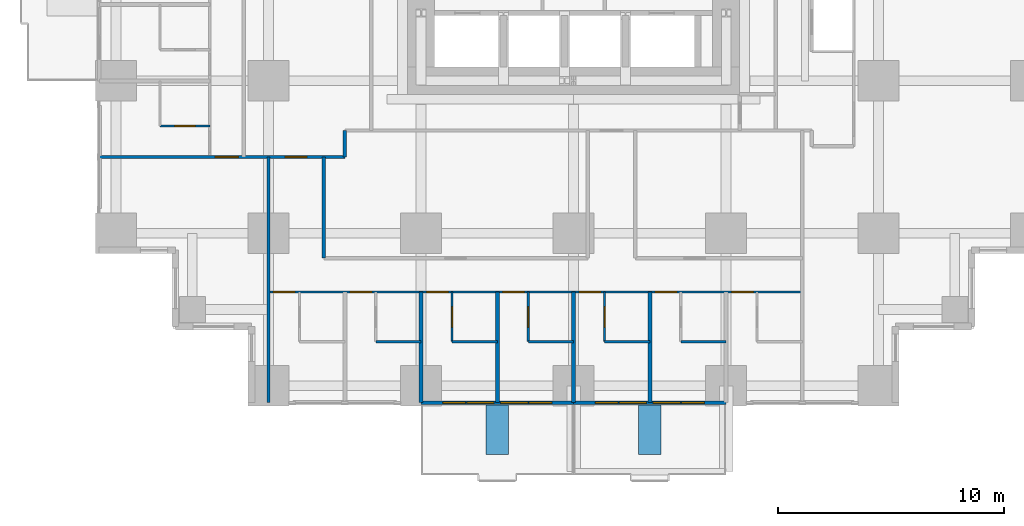
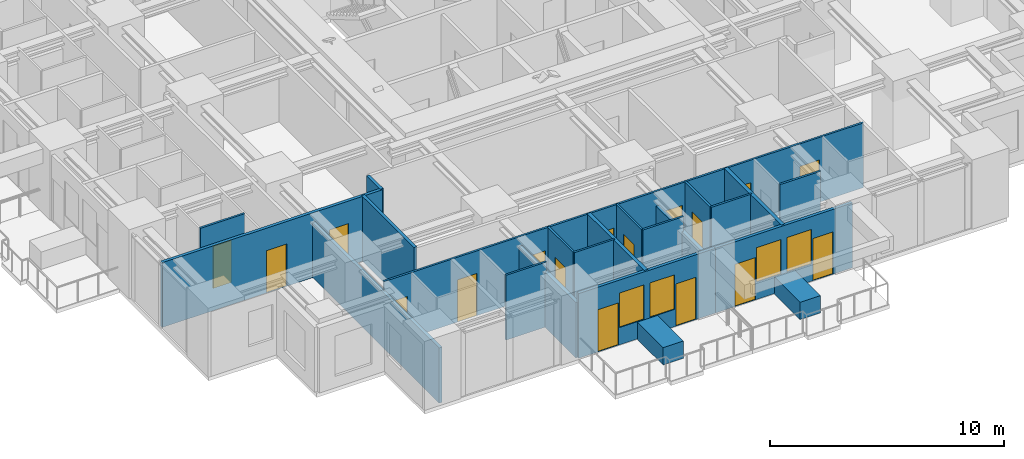
# One storey, part 6 of 13: 22 walls, 17 doors, 4 windows, 21 openings.
"""IFC4 building model written with IfcOpenShell, lengths in metres."""

import ifcopenshell
import ifcopenshell.guid

model = None  # the IFC model being written
_history = None  # IfcOwnerHistory: only IFC2X3 demands one
_inside = {}  # id of a spatial element -> (the spatial element, [elements in it])
_under = {}  # id of a project, library or spatial element -> (it, [spatial elements below it])
_declared = {}  # id of a project -> (the project, [libraries it declares])
_typed = {}  # id of a type object -> (the type object, [elements of that type])
_made_of = {}  # id of a material, layer set ... -> (it, [elements and type objects made of it])


def new_model(schema):
    """Start an empty IFC model of exactly this schema.

    Asked for "IFC4X3", IfcOpenShell would pick the latest addendum, in which some entities
    have other attributes; the version numbers below select the first issue.
    IFC2X3 requires an IfcOwnerHistory on every rooted entity: one is made here for all.
    """
    global model, _history
    if schema == "IFC4X3":
        model = ifcopenshell.file(schema_version=(4, 3, 0, 0))
    else:
        model = ifcopenshell.file(schema=schema)
    _inside.clear()
    _under.clear()
    _declared.clear()
    _typed.clear()
    _made_of.clear()
    _history = None
    if model.schema == "IFC2X3":
        org = make("IfcOrganization", Name="unknown")
        user = make(
            "IfcPersonAndOrganization",
            ThePerson=make("IfcPerson", FamilyName="unknown"),
            TheOrganization=org,
        )
        app = make(
            "IfcApplication",
            ApplicationDeveloper=org,
            Version="unknown",
            ApplicationFullName="unknown",
            ApplicationIdentifier="unknown",
        )
        _history = make(
            "IfcOwnerHistory",
            OwningUser=user,
            OwningApplication=app,
            ChangeAction="ADDED",
            CreationDate=0,
        )
    return model


def make(cls, **values):
    """One entity of the class cls with the attributes given. An attribute that is None is left unset."""
    return model.create_entity(
        cls, **{name: value for name, value in values.items() if value is not None}
    )


def rooted(cls, **values):
    """An entity with a GlobalId (a new one), such as an element, a storey or a relation."""
    return make(cls, GlobalId=ifcopenshell.guid.new(), OwnerHistory=_history, **values)


def si_unit(unit_type, name, prefix=None):
    """IfcSIUnit, for example si_unit("LENGTHUNIT", "METRE", prefix="MILLI")."""
    return make("IfcSIUnit", UnitType=unit_type, Prefix=prefix, Name=name)


def assignment(units):
    """IfcUnitAssignment: the units of a project."""
    return None if units is None else make("IfcUnitAssignment", Units=units)


def point(xyz):
    """IfcCartesianPoint."""
    return None if xyz is None else make("IfcCartesianPoint", Coordinates=xyz)


def direction(xyz):
    """IfcDirection."""
    return None if xyz is None else make("IfcDirection", DirectionRatios=xyz)


def frame(location, z_axis=None, x_axis=None):
    """IfcAxis2Placement3D, a coordinate frame: its origin and axes. An axis left out is left unset."""
    return make(
        "IfcAxis2Placement3D",
        Location=point(location),
        Axis=direction(z_axis),
        RefDirection=direction(x_axis),
    )


def frame_2d(location, x_axis=None):
    """IfcAxis2Placement2D, a coordinate frame in the plane: its origin and x axis."""
    return make(
        "IfcAxis2Placement2D", Location=point(location), RefDirection=direction(x_axis)
    )


def origin():
    """The frame at (0, 0, 0) with its axes left unset."""
    return frame((0.0, 0.0, 0.0))


def place(relative_to, where):
    """IfcLocalPlacement: puts the frame where relative to a parent placement (None: the world)."""
    return make(
        "IfcLocalPlacement", PlacementRelTo=relative_to, RelativePlacement=where
    )


def context(
    kind, dimensions, precision=None, world=None, true_north=None, identifier=None
):
    """IfcGeometricRepresentationContext, for example the 3D "Model" context."""
    return make(
        "IfcGeometricRepresentationContext",
        ContextIdentifier=identifier,
        ContextType=kind,
        CoordinateSpaceDimension=dimensions,
        Precision=precision,
        WorldCoordinateSystem=world,
        TrueNorth=true_north,
    )


def subcontext(parent, identifier, kind, view, scale=None):
    """IfcGeometricRepresentationSubContext, for example "Body" below "Model"."""
    return make(
        "IfcGeometricRepresentationSubContext",
        ContextIdentifier=identifier,
        ContextType=kind,
        ParentContext=parent,
        TargetScale=scale,
        TargetView=view,
    )


def project(units=None, contexts=None):
    """IfcProject with its units and contexts."""
    return rooted(
        "IfcProject",
        Name="project",
        RepresentationContexts=contexts,
        UnitsInContext=assignment(units),
    )


def spatial(cls, under=None, at=None, **own):
    """A site, building, storey or space (cls), placed at a placement, below another one or the project."""
    s = rooted(cls, ObjectPlacement=at, **own)
    if under is not None:
        _under.setdefault(under.id(), (under, []))[1].append(s)
    return s


def profile(cls, at=None, kind="AREA", **sizes):
    """A parametric profile (cls). Its sizes go by their IFC names, for example OverallWidth=200.0."""
    return make(cls, ProfileType=kind, Position=at, **sizes)


def rectangle(**sizes):
    """IfcRectangleProfileDef."""
    return profile("IfcRectangleProfileDef", **sizes)


def extrude(swept, where, along, depth):
    """IfcExtrudedAreaSolid: the profile swept, set in the frame where, extruded along a direction by depth."""
    return make(
        "IfcExtrudedAreaSolid",
        SweptArea=swept,
        Position=where,
        ExtrudedDirection=direction(along),
        Depth=depth,
    )


def shape(context_of_items, identifier, shape_type, items):
    """IfcShapeRepresentation: the items that make up one representation, for example the "Body"."""
    return make(
        "IfcShapeRepresentation",
        ContextOfItems=context_of_items,
        RepresentationIdentifier=identifier,
        RepresentationType=shape_type,
        Items=items,
    )


def material(Name=None, Category=None):
    """IfcMaterial."""
    return make("IfcMaterial", Name=Name, Category=Category)


def layer(
    of_material, thickness, ventilated=None, Name=None, Category=None, Priority=None
):
    """IfcMaterialLayer: one layer of a wall or slab, of a material (None: an air gap)."""
    return make(
        "IfcMaterialLayer",
        Material=of_material,
        LayerThickness=thickness,
        IsVentilated=ventilated,
        Name=Name,
        Category=Category,
        Priority=Priority,
    )


def layer_set(layers, Name=None):
    """IfcMaterialLayerSet."""
    return make("IfcMaterialLayerSet", MaterialLayers=layers, LayerSetName=Name)


def made_of(thing, what):
    """Note that an element or type object is made of a material, layer set ...; save() writes the relation."""
    if what is not None:
        _made_of.setdefault(what.id(), (what, []))[1].append(thing)
    return thing


def type_object(cls, material=None, **own):
    """A type object (cls), such as IfcWallType, which elements share."""
    return made_of(rooted(cls, **own), material)


def element(
    cls,
    number,
    at=None,
    inside=None,
    cuts=None,
    type_object=None,
    material=None,
    context=None,
    identifier="Body",
    shape_type=None,
    held_by="IfcProductDefinitionShape",
    body=None,
    shapes=None,
    **own,
):
    """One element of the class cls, such as IfcWall. Its Tag is "e" and its number.

    at: its placement. inside: the storey or other place that contains it. cuts: it is an
    opening in that element (IfcRelVoidsElement). A single representation is given by context,
    identifier, shape_type and body (its items); several are given by shapes. held_by: the class
    of the entity that holds the representations. save() writes the other relations.
    """
    e = rooted(cls, Tag="e%d" % number, ObjectPlacement=at, **own)
    if body is not None:
        shapes = [shape(context, identifier, shape_type, body)]
    if shapes is not None:
        e.Representation = make(held_by, Representations=shapes)
    if inside is not None:
        _inside.setdefault(inside.id(), (inside, []))[1].append(e)
    if cuts is not None:
        rooted(
            "IfcRelVoidsElement", RelatingBuildingElement=cuts, RelatedOpeningElement=e
        )
    if type_object is not None:
        _typed.setdefault(type_object.id(), (type_object, []))[1].append(e)
    return made_of(e, material)


def fill(opening, filler):
    """IfcRelFillsElement: the door or window that sits in an opening."""
    return rooted(
        "IfcRelFillsElement",
        RelatingOpeningElement=opening,
        RelatedBuildingElement=filler,
    )


def aggregate(whole, parts):
    """IfcRelAggregates: a whole, such as a stair, and the parts it consists of."""
    return rooted("IfcRelAggregates", RelatingObject=whole, RelatedObjects=parts)


def save(model, path):
    """Write the relations noted so far, then the file.

    IfcRelAggregates (storeys below a building ...), IfcRelContainedInSpatialStructure (elements
    in a storey), IfcRelDefinesByType, IfcRelAssociatesMaterial and IfcRelDeclares: one each for
    every whole, place, type object, material and project.
    """
    for whole, parts in _under.values():
        aggregate(whole, parts)
    for where, things in _inside.values():
        rooted(
            "IfcRelContainedInSpatialStructure",
            RelatedElements=things,
            RelatingStructure=where,
        )
    for kind, things in _typed.values():
        rooted("IfcRelDefinesByType", RelatedObjects=things, RelatingType=kind)
    for what, things in _made_of.values():
        rooted("IfcRelAssociatesMaterial", RelatedObjects=things, RelatingMaterial=what)
    for by, libraries in _declared.values():
        rooted("IfcRelDeclares", RelatingContext=by, RelatedDefinitions=libraries)
    model.write(path)


model = new_model("IFC4")

# Units and contexts
model_context = context("Model", 3, precision=1e-05, world=origin(), true_north=direction((0.0, 1.0)))
body_context = subcontext(model_context, "Body", "Model", "MODEL_VIEW")
ifc_project = project(units=[si_unit("LENGTHUNIT", "METRE"), si_unit("AREAUNIT", "SQUARE_METRE"), si_unit("VOLUMEUNIT", "CUBIC_METRE"), si_unit("PLANEANGLEUNIT", "RADIAN"), si_unit("MASSUNIT", "GRAM", prefix="KILO")], contexts=[model_context])

# Site, building, storey
site_placement = place(None, origin())
site = spatial("IfcSite", under=ifc_project, at=site_placement, CompositionType="ELEMENT")
building_placement = place(site_placement, origin())
building = spatial("IfcBuilding", under=site, at=building_placement, Name="Nyansa Garden Tower", CompositionType="ELEMENT")
storey_placement = place(building_placement, frame((0.0, 0.0, 46.800048828125)))
storey = spatial("IfcBuildingStorey", under=building, at=storey_placement, Name="L12", CompositionType="ELEMENT", Elevation=46.800048828125)

# Walls
ifc_material_1 = material(Name="Dense blockwork, plastered both sides, 55 dB", Category="masonry")
ifc_layer_1 = layer(ifc_material_1, 0.175048828125)
ifc_layer_set_1 = layer_set([ifc_layer_1], Name="Acoustic party wall PW175")
wall_type_1 = type_object("IfcWallType", Name="Acoustic party wall PW175", PredefinedType="PARTITIONING", material=ifc_layer_set_1)
wall_1_placement = place(storey_placement, frame((13.5, -0.73388671875, 0.0), z_axis=(0.0, 0.0, 1.0), x_axis=(0.0, 1.0, 0.0)))
element("IfcWall", 1, at=wall_1_placement, inside=storey, type_object=wall_type_1, Name="Party wall", PredefinedType="PARTITIONING", context=body_context, shape_type="SweptSolid", body=[
    extrude(rectangle(XDim=4.8837890625, YDim=0.175048828125, at=frame_2d((2.44189453125, 0.0))), origin(), (0.0, 0.0, 1.0), 2.876953125),
])
wall_2_placement = place(storey_placement, frame((16.875, -0.73388671875, 0.0), z_axis=(0.0, 0.0, 1.0), x_axis=(0.0, 1.0, 0.0)))
element("IfcWall", 2, at=wall_2_placement, inside=storey, type_object=wall_type_1, Name="Party wall", PredefinedType="PARTITIONING", context=body_context, shape_type="SweptSolid", body=[
    extrude(rectangle(XDim=4.8837890625, YDim=0.175048828125, at=frame_2d((2.44189453125, 0.0))), origin(), (0.0, 0.0, 1.0), 3.375),
])
wall_3_placement = place(storey_placement, frame((20.25, -0.73388671875, 0.0), z_axis=(0.0, 0.0, 1.0), x_axis=(0.0, 1.0, 0.0)))
element("IfcWall", 3, at=wall_3_placement, inside=storey, type_object=wall_type_1, Name="Party wall", PredefinedType="PARTITIONING", context=body_context, shape_type="SweptSolid", body=[
    extrude(rectangle(XDim=4.8837890625, YDim=0.175048828125, at=frame_2d((2.44189453125, 0.0))), origin(), (0.0, 0.0, 1.0), 2.60986328125),
])
wall_4_placement = place(storey_placement, frame((23.625, -0.73388671875, 0.0), z_axis=(0.0, 0.0, 1.0), x_axis=(0.0, 1.0, 0.0)))
element("IfcWall", 4, at=wall_4_placement, inside=storey, type_object=wall_type_1, Name="Party wall", PredefinedType="PARTITIONING", context=body_context, shape_type="SweptSolid", body=[
    extrude(rectangle(XDim=4.8837890625, YDim=0.175048828125, at=frame_2d((2.44189453125, 0.0))), origin(), (0.0, 0.0, 1.0), 3.375),
])

# Wall, openings, doors, windows
ifc_material_2 = material(Name="Black aluminium framed glazed screen", Category="aluminium")
ifc_layer_2 = layer(ifc_material_2, 0.14990234375)
ifc_layer_set_2 = layer_set([ifc_layer_2], Name="Balcony screen wall BW150")
wall_type_2 = type_object("IfcWallType", Name="Balcony screen wall BW150", PredefinedType="SOLIDWALL", material=ifc_layer_set_2)
wall_5_placement = place(storey_placement, frame((20.25, -0.75, 0.0), z_axis=(0.0, 0.0, 1.0), x_axis=(-1.0, 0.0, 0.0)))
wall_5 = element("IfcWall", 5, at=wall_5_placement, inside=storey, type_object=wall_type_2, Name="Glazed screen wall L12 S", PredefinedType="SOLIDWALL", context=body_context, shape_type="SweptSolid", body=[
    extrude(rectangle(XDim=6.75, YDim=0.14990234375, at=frame_2d((3.375, 0.0))), origin(), (0.0, 0.0, 1.0), 3.375),
])
opening_1_placement = place(wall_5_placement, frame((0.96240234375, 0.0, 0.0)))
opening_1 = element("IfcOpeningElement", 6, at=opening_1_placement, cuts=wall_5, Name="Opening D20", PredefinedType="OPENING", context=body_context, shape_type="SweptSolid", body=[
    extrude(rectangle(XDim=1.0, YDim=2.199951171875, at=frame_2d((0.5, 1.10009765625))), frame((0.0, 0.0849609375, 0.0), z_axis=(0.0, -1.0, 0.0), x_axis=(1.0, 0.0, 0.0)), (0.0, 0.0, 1.0), 0.169921875),
])
opening_2_placement = place(wall_5_placement, frame((2.02490234375, 0.0, 0.89990234375)))
opening_2 = element("IfcOpeningElement", 7, at=opening_2_placement, cuts=wall_5, Name="Opening W6", PredefinedType="OPENING", context=body_context, shape_type="SweptSolid", body=[
    extrude(rectangle(XDim=1.199951171875, YDim=1.800048828125, at=frame_2d((0.60009765625, 0.89990234375))), frame((0.0, 0.0849609375, 0.0), z_axis=(0.0, -1.0, 0.0), x_axis=(1.0, 0.0, 0.0)), (0.0, 0.0, 1.0), 0.169921875),
])
opening_3_placement = place(wall_5_placement, frame((4.78759765625, 0.0, 0.0)))
opening_3 = element("IfcOpeningElement", 8, at=opening_3_placement, cuts=wall_5, Name="Opening D20", PredefinedType="OPENING", context=body_context, shape_type="SweptSolid", body=[
    extrude(rectangle(XDim=1.0, YDim=2.199951171875, at=frame_2d((0.5, 1.10009765625))), frame((0.0, 0.0849609375, 0.0), z_axis=(0.0, -1.0, 0.0), x_axis=(1.0, 0.0, 0.0)), (0.0, 0.0, 1.0), 0.169921875),
])
opening_4_placement = place(wall_5_placement, frame((3.52490234375, 0.0, 0.89990234375)))
opening_4 = element("IfcOpeningElement", 9, at=opening_4_placement, cuts=wall_5, Name="Opening W6", PredefinedType="OPENING", context=body_context, shape_type="SweptSolid", body=[
    extrude(rectangle(XDim=1.199951171875, YDim=1.800048828125, at=frame_2d((0.60009765625, 0.89990234375))), frame((0.0, 0.0849609375, 0.0), z_axis=(0.0, -1.0, 0.0), x_axis=(1.0, 0.0, 0.0)), (0.0, 0.0, 1.0), 0.169921875),
])
ifc_material_3 = material(Name="Black aluminium framed glazed door", Category="aluminium")
door_type_1 = type_object("IfcDoorType", Name="Balcony door D20 1000x2200", OperationType="NOTDEFINED", PredefinedType="DOOR", material=ifc_material_3)
door_1_placement = place(opening_1_placement, origin())
door_1 = element("IfcDoor", 10, at=door_1_placement, inside=storey, type_object=door_type_1, Name="Balcony door L12", OperationType="SINGLE_SWING_LEFT", OverallHeight=2.199951171875, OverallWidth=1.0, PredefinedType="DOOR", context=body_context, shape_type="SweptSolid", body=[
    extrude(rectangle(XDim=1.0, YDim=2.199951171875, at=frame_2d((0.5, 1.10009765625))), frame((0.0, 0.02490234375, 0.0), z_axis=(0.0, -1.0, 0.0), x_axis=(1.0, 0.0, 0.0)), (0.0, 0.0, 1.0), 0.050048828125),
])
fill(opening_1, door_1)
door_2_placement = place(opening_3_placement, origin())
door_2 = element("IfcDoor", 11, at=door_2_placement, inside=storey, type_object=door_type_1, Name="Balcony door L12", OperationType="SINGLE_SWING_RIGHT", OverallHeight=2.199951171875, OverallWidth=1.0, PredefinedType="DOOR", context=body_context, shape_type="SweptSolid", body=[
    extrude(rectangle(XDim=1.0, YDim=2.199951171875, at=frame_2d((0.5, 1.10009765625))), frame((0.0, 0.02490234375, 0.0), z_axis=(0.0, -1.0, 0.0), x_axis=(1.0, 0.0, 0.0)), (0.0, 0.0, 1.0), 0.050048828125),
])
fill(opening_3, door_2)
ifc_material_4 = material(Name="Black aluminium frame, dark tinted double glazing", Category="aluminium")
window_type = type_object("IfcWindowType", Name="Balcony window W6 1200x1800", PartitioningType="SINGLE_PANEL", PredefinedType="WINDOW", material=ifc_material_4)
window_1_placement = place(opening_2_placement, origin())
window_1 = element("IfcWindow", 12, at=window_1_placement, inside=storey, type_object=window_type, Name="Window L12", OverallHeight=1.800048828125, OverallWidth=1.199951171875, PartitioningType="SINGLE_PANEL", PredefinedType="WINDOW", context=body_context, shape_type="SweptSolid", body=[
    extrude(rectangle(XDim=1.199951171875, YDim=1.800048828125, at=frame_2d((0.60009765625, 0.89990234375))), frame((0.0, 0.030029296875, 0.0), z_axis=(0.0, -1.0, 0.0), x_axis=(1.0, 0.0, 0.0)), (0.0, 0.0, 1.0), 0.06005859375),
])
fill(opening_2, window_1)
window_2_placement = place(opening_4_placement, origin())
window_2 = element("IfcWindow", 13, at=window_2_placement, inside=storey, type_object=window_type, Name="Window L12", OverallHeight=1.800048828125, OverallWidth=1.199951171875, PartitioningType="SINGLE_PANEL", PredefinedType="WINDOW", context=body_context, shape_type="SweptSolid", body=[
    extrude(rectangle(XDim=1.199951171875, YDim=1.800048828125, at=frame_2d((0.60009765625, 0.89990234375))), frame((0.0, 0.030029296875, 0.0), z_axis=(0.0, -1.0, 0.0), x_axis=(1.0, 0.0, 0.0)), (0.0, 0.0, 1.0), 0.06005859375),
])
fill(opening_4, window_2)

wall_6_placement = place(storey_placement, frame((27.0, -0.75, 0.0), z_axis=(0.0, 0.0, 1.0), x_axis=(-1.0, 0.0, 0.0)))
wall_6 = element("IfcWall", 14, at=wall_6_placement, inside=storey, type_object=wall_type_2, Name="Glazed screen wall L12 S", PredefinedType="SOLIDWALL", context=body_context, shape_type="SweptSolid", body=[
    extrude(rectangle(XDim=6.75, YDim=0.14990234375, at=frame_2d((3.375, 0.0))), origin(), (0.0, 0.0, 1.0), 3.375),
])
opening_5_placement = place(wall_6_placement, frame((0.96240234375, 0.0, 0.0)))
opening_5 = element("IfcOpeningElement", 15, at=opening_5_placement, cuts=wall_6, Name="Opening D20", PredefinedType="OPENING", context=body_context, shape_type="SweptSolid", body=[
    extrude(rectangle(XDim=1.0, YDim=2.199951171875, at=frame_2d((0.5, 1.10009765625))), frame((0.0, 0.0849609375, 0.0), z_axis=(0.0, -1.0, 0.0), x_axis=(1.0, 0.0, 0.0)), (0.0, 0.0, 1.0), 0.169921875),
])
opening_6_placement = place(wall_6_placement, frame((2.02490234375, 0.0, 0.89990234375)))
opening_6 = element("IfcOpeningElement", 16, at=opening_6_placement, cuts=wall_6, Name="Opening W6", PredefinedType="OPENING", context=body_context, shape_type="SweptSolid", body=[
    extrude(rectangle(XDim=1.199951171875, YDim=1.800048828125, at=frame_2d((0.60009765625, 0.89990234375))), frame((0.0, 0.0849609375, 0.0), z_axis=(0.0, -1.0, 0.0), x_axis=(1.0, 0.0, 0.0)), (0.0, 0.0, 1.0), 0.169921875),
])
opening_7_placement = place(wall_6_placement, frame((4.78759765625, 0.0, 0.0)))
opening_7 = element("IfcOpeningElement", 17, at=opening_7_placement, cuts=wall_6, Name="Opening D20", PredefinedType="OPENING", context=body_context, shape_type="SweptSolid", body=[
    extrude(rectangle(XDim=1.0, YDim=2.199951171875, at=frame_2d((0.5, 1.10009765625))), frame((0.0, 0.0849609375, 0.0), z_axis=(0.0, -1.0, 0.0), x_axis=(1.0, 0.0, 0.0)), (0.0, 0.0, 1.0), 0.169921875),
])
opening_8_placement = place(wall_6_placement, frame((3.52490234375, 0.0, 0.89990234375)))
opening_8 = element("IfcOpeningElement", 18, at=opening_8_placement, cuts=wall_6, Name="Opening W6", PredefinedType="OPENING", context=body_context, shape_type="SweptSolid", body=[
    extrude(rectangle(XDim=1.199951171875, YDim=1.800048828125, at=frame_2d((0.60009765625, 0.89990234375))), frame((0.0, 0.0849609375, 0.0), z_axis=(0.0, -1.0, 0.0), x_axis=(1.0, 0.0, 0.0)), (0.0, 0.0, 1.0), 0.169921875),
])
door_3_placement = place(opening_5_placement, origin())
door_3 = element("IfcDoor", 19, at=door_3_placement, inside=storey, type_object=door_type_1, Name="Balcony door L12", OperationType="SINGLE_SWING_LEFT", OverallHeight=2.199951171875, OverallWidth=1.0, PredefinedType="DOOR", context=body_context, shape_type="SweptSolid", body=[
    extrude(rectangle(XDim=1.0, YDim=2.199951171875, at=frame_2d((0.5, 1.10009765625))), frame((0.0, 0.02490234375, 0.0), z_axis=(0.0, -1.0, 0.0), x_axis=(1.0, 0.0, 0.0)), (0.0, 0.0, 1.0), 0.050048828125),
])
fill(opening_5, door_3)
door_4_placement = place(opening_7_placement, origin())
door_4 = element("IfcDoor", 20, at=door_4_placement, inside=storey, type_object=door_type_1, Name="Balcony door L12", OperationType="SINGLE_SWING_RIGHT", OverallHeight=2.199951171875, OverallWidth=1.0, PredefinedType="DOOR", context=body_context, shape_type="SweptSolid", body=[
    extrude(rectangle(XDim=1.0, YDim=2.199951171875, at=frame_2d((0.5, 1.10009765625))), frame((0.0, 0.02490234375, 0.0), z_axis=(0.0, -1.0, 0.0), x_axis=(1.0, 0.0, 0.0)), (0.0, 0.0, 1.0), 0.050048828125),
])
fill(opening_7, door_4)
window_3_placement = place(opening_6_placement, origin())
window_3 = element("IfcWindow", 21, at=window_3_placement, inside=storey, type_object=window_type, Name="Window L12", OverallHeight=1.800048828125, OverallWidth=1.199951171875, PartitioningType="SINGLE_PANEL", PredefinedType="WINDOW", context=body_context, shape_type="SweptSolid", body=[
    extrude(rectangle(XDim=1.199951171875, YDim=1.800048828125, at=frame_2d((0.60009765625, 0.89990234375))), frame((0.0, 0.030029296875, 0.0), z_axis=(0.0, -1.0, 0.0), x_axis=(1.0, 0.0, 0.0)), (0.0, 0.0, 1.0), 0.06005859375),
])
fill(opening_6, window_3)
window_4_placement = place(opening_8_placement, origin())
window_4 = element("IfcWindow", 22, at=window_4_placement, inside=storey, type_object=window_type, Name="Window L12", OverallHeight=1.800048828125, OverallWidth=1.199951171875, PartitioningType="SINGLE_PANEL", PredefinedType="WINDOW", context=body_context, shape_type="SweptSolid", body=[
    extrude(rectangle(XDim=1.199951171875, YDim=1.800048828125, at=frame_2d((0.60009765625, 0.89990234375))), frame((0.0, 0.030029296875, 0.0), z_axis=(0.0, -1.0, 0.0), x_axis=(1.0, 0.0, 0.0)), (0.0, 0.0, 1.0), 0.06005859375),
])
fill(opening_8, window_4)

# Wall, openings, doors
ifc_material_5 = material(Name="Blockwork, plastered both sides", Category="masonry")
ifc_layer_3 = layer(ifc_material_5, 0.14990234375)
ifc_layer_set_3 = layer_set([ifc_layer_3], Name="Partition PW150")
wall_type_3 = type_object("IfcWallType", Name="Partition PW150", PredefinedType="PARTITIONING", material=ifc_layer_set_3)
wall_7_placement = place(storey_placement, frame((-0.73388671875, 10.125, 0.0), z_axis=(0.0, 0.0, 1.0), x_axis=(1.0, 0.0, 0.0)))
wall_7 = element("IfcWall", 23, at=wall_7_placement, inside=storey, type_object=wall_type_3, Name="Partition", PredefinedType="PARTITIONING", context=body_context, shape_type="SweptSolid", body=[
    extrude(rectangle(XDim=10.85888671875, YDim=0.14990234375, at=frame_2d((5.429443359375, 0.0))), origin(), (0.0, 0.0, 1.0), 3.375),
])
opening_9_placement = place(wall_7_placement, frame((5.134033203125, 0.0, 0.0)))
opening_9 = element("IfcOpeningElement", 24, at=opening_9_placement, cuts=wall_7, Name="Opening D03", PredefinedType="OPENING", context=body_context, shape_type="SweptSolid", body=[
    extrude(rectangle(XDim=1.0, YDim=2.199951171875, at=frame_2d((0.5, 1.10009765625))), frame((0.0, 0.0849609375, 0.0), z_axis=(0.0, -1.0, 0.0), x_axis=(1.0, 0.0, 0.0)), (0.0, 0.0, 1.0), 0.169921875),
])
opening_10_placement = place(wall_7_placement, frame((8.23388671875, 0.0, 0.0)))
opening_10 = element("IfcOpeningElement", 25, at=opening_10_placement, cuts=wall_7, Name="Opening D01", PredefinedType="OPENING", context=body_context, shape_type="SweptSolid", body=[
    extrude(rectangle(XDim=0.949951171875, YDim=2.199951171875, at=frame_2d((0.47509765625, 1.10009765625))), frame((0.0, 0.0849609375, 0.0), z_axis=(0.0, -1.0, 0.0), x_axis=(1.0, 0.0, 0.0)), (0.0, 0.0, 1.0), 0.169921875),
])
ifc_material_6 = material(Name="Timber flush door, 30 minute fire resisting", Category="wood")
door_type_2 = type_object("IfcDoorType", Name="Bedroom door D01 950x2200", OperationType="SINGLE_SWING_LEFT", PredefinedType="DOOR", material=ifc_material_6)
door_5_placement = place(opening_10_placement, origin())
door_5 = element("IfcDoor", 26, at=door_5_placement, inside=storey, type_object=door_type_2, Name="Door L12-059", OperationType="SINGLE_SWING_LEFT", OverallHeight=2.199951171875, OverallWidth=0.949951171875, PredefinedType="DOOR", context=body_context, shape_type="SweptSolid", body=[
    extrude(rectangle(XDim=0.949951171875, YDim=2.199951171875, at=frame_2d((0.47509765625, 1.10009765625))), frame((0.0, 0.02490234375, 0.0), z_axis=(0.0, -1.0, 0.0), x_axis=(1.0, 0.0, 0.0)), (0.0, 0.0, 1.0), 0.050048828125),
])
fill(opening_10, door_5)
ifc_material_7 = material(Name="Timber flush door, 60 minute fire resisting", Category="wood")
door_type_3 = type_object("IfcDoorType", Name="Cluster entrance door D03 1000x2200", OperationType="SINGLE_SWING_LEFT", PredefinedType="DOOR", material=ifc_material_7)
door_6_placement = place(opening_9_placement, origin())
door_6 = element("IfcDoor", 27, at=door_6_placement, inside=storey, type_object=door_type_3, Name="Door L12-031", OperationType="SINGLE_SWING_LEFT", OverallHeight=2.199951171875, OverallWidth=1.0, PredefinedType="DOOR", context=body_context, shape_type="SweptSolid", body=[
    extrude(rectangle(XDim=1.0, YDim=2.199951171875, at=frame_2d((0.5, 1.10009765625))), frame((0.0, 0.02490234375, 0.0), z_axis=(0.0, -1.0, 0.0), x_axis=(1.0, 0.0, 0.0)), (0.0, 0.0, 1.0), 0.050048828125),
])
fill(opening_9, door_6)

# Walls
wall_8_placement = place(storey_placement, frame((6.75, -0.73388671875, 0.0), z_axis=(0.0, 0.0, 1.0), x_axis=(0.0, 1.0, 0.0)))
element("IfcWall", 28, at=wall_8_placement, inside=storey, type_object=wall_type_3, Name="Partition", PredefinedType="PARTITIONING", context=body_context, shape_type="SweptSolid", body=[
    extrude(rectangle(XDim=10.85888671875, YDim=0.14990234375, at=frame_2d((5.429443359375, 0.0))), origin(), (0.0, 0.0, 1.0), 2.876953125),
])
wall_9_placement = place(storey_placement, frame((9.199951171875, 5.64990234375, 0.0), z_axis=(0.0, 0.0, 1.0), x_axis=(0.0, 1.0, 0.0)))
element("IfcWall", 29, at=wall_9_placement, inside=storey, type_object=wall_type_3, Name="Partition", PredefinedType="PARTITIONING", context=body_context, shape_type="SweptSolid", body=[
    extrude(rectangle(XDim=4.47509765625, YDim=0.14990234375, at=frame_2d((2.237548828125, 0.0))), origin(), (0.0, 0.0, 1.0), 3.375),
])
wall_10_placement = place(storey_placement, frame((10.125, 10.125, 0.0), z_axis=(0.0, 0.0, 1.0), x_axis=(0.0, 1.0, 0.0)))
element("IfcWall", 30, at=wall_10_placement, inside=storey, type_object=wall_type_3, Name="Partition", PredefinedType="PARTITIONING", context=body_context, shape_type="SweptSolid", body=[
    extrude(rectangle(XDim=1.175048828125, YDim=0.14990234375, at=frame_2d((0.58740234375, 0.0))), origin(), (0.0, 0.0, 1.0), 3.375),
])
ifc_material_8 = material(Name="Concrete C40/50 planter, waterproofed", Category="concrete")
ifc_layer_4 = layer(ifc_material_8, 1.0)
ifc_layer_set_4 = layer_set([ifc_layer_4], Name="Tree planter TP1")
wall_type_4 = type_object("IfcWallType", Name="Tree planter TP1", PredefinedType="USERDEFINED", material=ifc_layer_set_4)
for number, where, z_axis, x_axis, name in (
    (31, (16.875, -0.85009765625, 0.0), (0.0, 0.0, 1.0), (0.0, -1.0, 0.0), "Tree planter L12"),
    (32, (23.625, -0.85009765625, 0.0), (0.0, 0.0, 1.0), (0.0, -1.0, 0.0), "Tree planter L12"),
):
    element("IfcWall", number, at=place(storey_placement, frame(where, z_axis=z_axis, x_axis=x_axis)), inside=storey, type_object=wall_type_4, Name=name, ObjectType="TREE PLANTER", PredefinedType="USERDEFINED", context=body_context, shape_type="SweptSolid", body=[
        extrude(rectangle(XDim=2.199951171875, YDim=1.0, at=frame_2d((1.10009765625, 0.0))), origin(), (0.0, 0.0, 1.0), 0.89990234375),
    ])

# Wall, opening, door
ifc_material_9 = material(Name="Moisture resistant board on steel studs, tiled", Category="steel")
ifc_layer_5 = layer(ifc_material_9, 0.10009765625)
ifc_layer_set_5 = layer_set([ifc_layer_5], Name="Wet wall PW100")
wall_type_5 = type_object("IfcWallType", Name="Wet wall PW100", PredefinedType="PARTITIONING", material=ifc_layer_set_5)
wall_11_placement = place(storey_placement, frame((1.949951171875, 11.5, 0.0), z_axis=(0.0, 0.0, 1.0), x_axis=(1.0, 0.0, 0.0)))
wall_11 = element("IfcWall", 33, at=wall_11_placement, inside=storey, type_object=wall_type_5, Name="Wet wall", PredefinedType="PARTITIONING", context=body_context, shape_type="SweptSolid", body=[
    extrude(rectangle(XDim=2.199951171875, YDim=0.10009765625, at=frame_2d((1.10009765625, 0.0))), origin(), (0.0, 0.0, 1.0), 3.375),
])
opening_11_placement = place(wall_11_placement, frame((0.64990234375, 0.0, 0.0)))
opening_11 = element("IfcOpeningElement", 34, at=opening_11_placement, cuts=wall_11, Name="Opening D02", PredefinedType="OPENING", context=body_context, shape_type="SweptSolid", body=[
    extrude(rectangle(XDim=0.89990234375, YDim=2.199951171875, at=frame_2d((0.449951171875, 1.10009765625))), frame((0.0, 0.06005859375, 0.0), z_axis=(0.0, -1.0, 0.0), x_axis=(1.0, 0.0, 0.0)), (0.0, 0.0, 1.0), 0.1201171875),
])
ifc_material_10 = material(Name="Timber flush door", Category="wood")
door_type_4 = type_object("IfcDoorType", Name="En-suite door D02 900x2200", OperationType="SINGLE_SWING_RIGHT", PredefinedType="DOOR", material=ifc_material_10)
door_7_placement = place(opening_11_placement, origin())
door_7 = element("IfcDoor", 35, at=door_7_placement, inside=storey, type_object=door_type_4, Name="Door L12-044", OperationType="SINGLE_SWING_RIGHT", OverallHeight=2.199951171875, OverallWidth=0.89990234375, PredefinedType="DOOR", context=body_context, shape_type="SweptSolid", body=[
    extrude(rectangle(XDim=0.89990234375, YDim=2.199951171875, at=frame_2d((0.449951171875, 1.10009765625))), frame((0.0, 0.02490234375, 0.0), z_axis=(0.0, -1.0, 0.0), x_axis=(1.0, 0.0, 0.0)), (0.0, 0.0, 1.0), 0.050048828125),
])
fill(opening_11, door_7)

# Wall, openings, doors
wall_12_placement = place(storey_placement, frame((6.75, 4.14990234375, 0.0), z_axis=(0.0, 0.0, 1.0), x_axis=(1.0, 0.0, 0.0)))
wall_12 = element("IfcWall", 36, at=wall_12_placement, inside=storey, type_object=wall_type_5, Name="Wet wall", PredefinedType="PARTITIONING", context=body_context, shape_type="SweptSolid", body=[
    extrude(rectangle(XDim=23.625, YDim=0.10009765625, at=frame_2d((11.8125, 0.0))), origin(), (0.0, 0.0, 1.0), 3.375),
])
opening_12_placement = place(wall_12_placement, frame((0.199951171875, 0.0, 0.0)))
opening_12 = element("IfcOpeningElement", 37, at=opening_12_placement, cuts=wall_12, Name="Opening D01", PredefinedType="OPENING", context=body_context, shape_type="SweptSolid", body=[
    extrude(rectangle(XDim=0.949951171875, YDim=2.199951171875, at=frame_2d((0.47509765625, 1.10009765625))), frame((0.0, 0.06005859375, 0.0), z_axis=(0.0, -1.0, 0.0), x_axis=(1.0, 0.0, 0.0)), (0.0, 0.0, 1.0), 0.1201171875),
])
opening_13_placement = place(wall_12_placement, frame((3.625, 0.0, 0.0)))
opening_13 = element("IfcOpeningElement", 38, at=opening_13_placement, cuts=wall_12, Name="Opening D01", PredefinedType="OPENING", context=body_context, shape_type="SweptSolid", body=[
    extrude(rectangle(XDim=0.949951171875, YDim=2.199951171875, at=frame_2d((0.47509765625, 1.10009765625))), frame((0.0, 0.06005859375, 0.0), z_axis=(0.0, -1.0, 0.0), x_axis=(1.0, 0.0, 0.0)), (0.0, 0.0, 1.0), 0.1201171875),
])
opening_14_placement = place(wall_12_placement, frame((7.0, 0.0, 0.0)))
opening_14 = element("IfcOpeningElement", 39, at=opening_14_placement, cuts=wall_12, Name="Opening D01", PredefinedType="OPENING", context=body_context, shape_type="SweptSolid", body=[
    extrude(rectangle(XDim=0.949951171875, YDim=2.199951171875, at=frame_2d((0.47509765625, 1.10009765625))), frame((0.0, 0.06005859375, 0.0), z_axis=(0.0, -1.0, 0.0), x_axis=(1.0, 0.0, 0.0)), (0.0, 0.0, 1.0), 0.1201171875),
])
opening_15_placement = place(wall_12_placement, frame((10.375, 0.0, 0.0)))
opening_15 = element("IfcOpeningElement", 40, at=opening_15_placement, cuts=wall_12, Name="Opening D01", PredefinedType="OPENING", context=body_context, shape_type="SweptSolid", body=[
    extrude(rectangle(XDim=0.949951171875, YDim=2.199951171875, at=frame_2d((0.47509765625, 1.10009765625))), frame((0.0, 0.06005859375, 0.0), z_axis=(0.0, -1.0, 0.0), x_axis=(1.0, 0.0, 0.0)), (0.0, 0.0, 1.0), 0.1201171875),
])
opening_16_placement = place(wall_12_placement, frame((13.75, 0.0, 0.0)))
opening_16 = element("IfcOpeningElement", 41, at=opening_16_placement, cuts=wall_12, Name="Opening D01", PredefinedType="OPENING", context=body_context, shape_type="SweptSolid", body=[
    extrude(rectangle(XDim=0.949951171875, YDim=2.199951171875, at=frame_2d((0.47509765625, 1.10009765625))), frame((0.0, 0.06005859375, 0.0), z_axis=(0.0, -1.0, 0.0), x_axis=(1.0, 0.0, 0.0)), (0.0, 0.0, 1.0), 0.1201171875),
])
opening_17_placement = place(wall_12_placement, frame((17.125, 0.0, 0.0)))
opening_17 = element("IfcOpeningElement", 42, at=opening_17_placement, cuts=wall_12, Name="Opening D01", PredefinedType="OPENING", context=body_context, shape_type="SweptSolid", body=[
    extrude(rectangle(XDim=0.949951171875, YDim=2.199951171875, at=frame_2d((0.47509765625, 1.10009765625))), frame((0.0, 0.06005859375, 0.0), z_axis=(0.0, -1.0, 0.0), x_axis=(1.0, 0.0, 0.0)), (0.0, 0.0, 1.0), 0.1201171875),
])
opening_18_placement = place(wall_12_placement, frame((20.5, 0.0, 0.0)))
opening_18 = element("IfcOpeningElement", 43, at=opening_18_placement, cuts=wall_12, Name="Opening D01", PredefinedType="OPENING", context=body_context, shape_type="SweptSolid", body=[
    extrude(rectangle(XDim=0.949951171875, YDim=2.199951171875, at=frame_2d((0.47509765625, 1.10009765625))), frame((0.0, 0.06005859375, 0.0), z_axis=(0.0, -1.0, 0.0), x_axis=(1.0, 0.0, 0.0)), (0.0, 0.0, 1.0), 0.1201171875),
])
door_8_placement = place(opening_12_placement, origin())
door_8 = element("IfcDoor", 44, at=door_8_placement, inside=storey, type_object=door_type_2, Name="Door L12-017", OperationType="SINGLE_SWING_LEFT", OverallHeight=2.199951171875, OverallWidth=0.949951171875, PredefinedType="DOOR", context=body_context, shape_type="SweptSolid", body=[
    extrude(rectangle(XDim=0.949951171875, YDim=2.199951171875, at=frame_2d((0.47509765625, 1.10009765625))), frame((0.0, 0.02490234375, 0.0), z_axis=(0.0, -1.0, 0.0), x_axis=(1.0, 0.0, 0.0)), (0.0, 0.0, 1.0), 0.050048828125),
])
fill(opening_12, door_8)
door_9_placement = place(opening_13_placement, origin())
door_9 = element("IfcDoor", 45, at=door_9_placement, inside=storey, type_object=door_type_2, Name="Door L12-019", OperationType="SINGLE_SWING_LEFT", OverallHeight=2.199951171875, OverallWidth=0.949951171875, PredefinedType="DOOR", context=body_context, shape_type="SweptSolid", body=[
    extrude(rectangle(XDim=0.949951171875, YDim=2.199951171875, at=frame_2d((0.47509765625, 1.10009765625))), frame((0.0, 0.02490234375, 0.0), z_axis=(0.0, -1.0, 0.0), x_axis=(1.0, 0.0, 0.0)), (0.0, 0.0, 1.0), 0.050048828125),
])
fill(opening_13, door_9)
door_10_placement = place(opening_14_placement, origin())
door_10 = element("IfcDoor", 46, at=door_10_placement, inside=storey, type_object=door_type_2, Name="Door L12-021", OperationType="SINGLE_SWING_LEFT", OverallHeight=2.199951171875, OverallWidth=0.949951171875, PredefinedType="DOOR", context=body_context, shape_type="SweptSolid", body=[
    extrude(rectangle(XDim=0.949951171875, YDim=2.199951171875, at=frame_2d((0.47509765625, 1.10009765625))), frame((0.0, 0.02490234375, 0.0), z_axis=(0.0, -1.0, 0.0), x_axis=(1.0, 0.0, 0.0)), (0.0, 0.0, 1.0), 0.050048828125),
])
fill(opening_14, door_10)
door_11_placement = place(opening_15_placement, origin())
door_11 = element("IfcDoor", 47, at=door_11_placement, inside=storey, type_object=door_type_2, Name="Door L12-023", OperationType="SINGLE_SWING_LEFT", OverallHeight=2.199951171875, OverallWidth=0.949951171875, PredefinedType="DOOR", context=body_context, shape_type="SweptSolid", body=[
    extrude(rectangle(XDim=0.949951171875, YDim=2.199951171875, at=frame_2d((0.47509765625, 1.10009765625))), frame((0.0, 0.02490234375, 0.0), z_axis=(0.0, -1.0, 0.0), x_axis=(1.0, 0.0, 0.0)), (0.0, 0.0, 1.0), 0.050048828125),
])
fill(opening_15, door_11)
door_12_placement = place(opening_16_placement, origin())
door_12 = element("IfcDoor", 48, at=door_12_placement, inside=storey, type_object=door_type_2, Name="Door L12-025", OperationType="SINGLE_SWING_LEFT", OverallHeight=2.199951171875, OverallWidth=0.949951171875, PredefinedType="DOOR", context=body_context, shape_type="SweptSolid", body=[
    extrude(rectangle(XDim=0.949951171875, YDim=2.199951171875, at=frame_2d((0.47509765625, 1.10009765625))), frame((0.0, 0.02490234375, 0.0), z_axis=(0.0, -1.0, 0.0), x_axis=(1.0, 0.0, 0.0)), (0.0, 0.0, 1.0), 0.050048828125),
])
fill(opening_16, door_12)
door_13_placement = place(opening_17_placement, origin())
door_13 = element("IfcDoor", 49, at=door_13_placement, inside=storey, type_object=door_type_2, Name="Door L12-027", OperationType="SINGLE_SWING_LEFT", OverallHeight=2.199951171875, OverallWidth=0.949951171875, PredefinedType="DOOR", context=body_context, shape_type="SweptSolid", body=[
    extrude(rectangle(XDim=0.949951171875, YDim=2.199951171875, at=frame_2d((0.47509765625, 1.10009765625))), frame((0.0, 0.02490234375, 0.0), z_axis=(0.0, -1.0, 0.0), x_axis=(1.0, 0.0, 0.0)), (0.0, 0.0, 1.0), 0.050048828125),
])
fill(opening_17, door_13)
door_14_placement = place(opening_18_placement, origin())
door_14 = element("IfcDoor", 50, at=door_14_placement, inside=storey, type_object=door_type_2, Name="Door L12-029", OperationType="SINGLE_SWING_LEFT", OverallHeight=2.199951171875, OverallWidth=0.949951171875, PredefinedType="DOOR", context=body_context, shape_type="SweptSolid", body=[
    extrude(rectangle(XDim=0.949951171875, YDim=2.199951171875, at=frame_2d((0.47509765625, 1.10009765625))), frame((0.0, 0.02490234375, 0.0), z_axis=(0.0, -1.0, 0.0), x_axis=(1.0, 0.0, 0.0)), (0.0, 0.0, 1.0), 0.050048828125),
])
fill(opening_18, door_14)

# Wall
wall_13_placement = place(storey_placement, frame((11.5, 1.949951171875, 0.0), z_axis=(0.0, 0.0, 1.0), x_axis=(1.0, 0.0, 0.0)))
element("IfcWall", 51, at=wall_13_placement, inside=storey, type_object=wall_type_5, Name="Wet wall", PredefinedType="PARTITIONING", context=body_context, shape_type="SweptSolid", body=[
    extrude(rectangle(XDim=2.0, YDim=0.10009765625, at=frame_2d((1.0, 0.0))), origin(), (0.0, 0.0, 1.0), 3.375),
])

# Wall, opening, door
wall_14_placement = place(storey_placement, frame((14.875, 1.949951171875, 0.0), z_axis=(0.0, 0.0, 1.0), x_axis=(0.0, 1.0, 0.0)))
wall_14 = element("IfcWall", 52, at=wall_14_placement, inside=storey, type_object=wall_type_5, Name="Wet wall", PredefinedType="PARTITIONING", context=body_context, shape_type="SweptSolid", body=[
    extrude(rectangle(XDim=2.199951171875, YDim=0.10009765625, at=frame_2d((1.10009765625, 0.0))), origin(), (0.0, 0.0, 1.0), 3.375),
])
opening_19_placement = place(wall_14_placement, frame((0.64990234375, 0.0, 0.0)))
opening_19 = element("IfcOpeningElement", 53, at=opening_19_placement, cuts=wall_14, Name="Opening D02", PredefinedType="OPENING", context=body_context, shape_type="SweptSolid", body=[
    extrude(rectangle(XDim=0.89990234375, YDim=2.199951171875, at=frame_2d((0.449951171875, 1.10009765625))), frame((0.0, 0.06005859375, 0.0), z_axis=(0.0, -1.0, 0.0), x_axis=(1.0, 0.0, 0.0)), (0.0, 0.0, 1.0), 0.1201171875),
])
door_15_placement = place(opening_19_placement, origin())
door_15 = element("IfcDoor", 54, at=door_15_placement, inside=storey, type_object=door_type_4, Name="Door L12-022", OperationType="SINGLE_SWING_RIGHT", OverallHeight=2.199951171875, OverallWidth=0.89990234375, PredefinedType="DOOR", context=body_context, shape_type="SweptSolid", body=[
    extrude(rectangle(XDim=0.89990234375, YDim=2.199951171875, at=frame_2d((0.449951171875, 1.10009765625))), frame((0.0, 0.02490234375, 0.0), z_axis=(0.0, -1.0, 0.0), x_axis=(1.0, 0.0, 0.0)), (0.0, 0.0, 1.0), 0.050048828125),
])
fill(opening_19, door_15)

# Wall
wall_15_placement = place(storey_placement, frame((14.875, 1.949951171875, 0.0), z_axis=(0.0, 0.0, 1.0), x_axis=(1.0, 0.0, 0.0)))
element("IfcWall", 55, at=wall_15_placement, inside=storey, type_object=wall_type_5, Name="Wet wall", PredefinedType="PARTITIONING", context=body_context, shape_type="SweptSolid", body=[
    extrude(rectangle(XDim=2.0, YDim=0.10009765625, at=frame_2d((1.0, 0.0))), origin(), (0.0, 0.0, 1.0), 3.375),
])

# Wall, opening, door
wall_16_placement = place(storey_placement, frame((18.25, 1.949951171875, 0.0), z_axis=(0.0, 0.0, 1.0), x_axis=(0.0, 1.0, 0.0)))
wall_16 = element("IfcWall", 56, at=wall_16_placement, inside=storey, type_object=wall_type_5, Name="Wet wall", PredefinedType="PARTITIONING", context=body_context, shape_type="SweptSolid", body=[
    extrude(rectangle(XDim=2.199951171875, YDim=0.10009765625, at=frame_2d((1.10009765625, 0.0))), origin(), (0.0, 0.0, 1.0), 3.375),
])
opening_20_placement = place(wall_16_placement, frame((0.64990234375, 0.0, 0.0)))
opening_20 = element("IfcOpeningElement", 57, at=opening_20_placement, cuts=wall_16, Name="Opening D02", PredefinedType="OPENING", context=body_context, shape_type="SweptSolid", body=[
    extrude(rectangle(XDim=0.89990234375, YDim=2.199951171875, at=frame_2d((0.449951171875, 1.10009765625))), frame((0.0, 0.06005859375, 0.0), z_axis=(0.0, -1.0, 0.0), x_axis=(1.0, 0.0, 0.0)), (0.0, 0.0, 1.0), 0.1201171875),
])
door_16_placement = place(opening_20_placement, origin())
door_16 = element("IfcDoor", 58, at=door_16_placement, inside=storey, type_object=door_type_4, Name="Door L12-024", OperationType="SINGLE_SWING_RIGHT", OverallHeight=2.199951171875, OverallWidth=0.89990234375, PredefinedType="DOOR", context=body_context, shape_type="SweptSolid", body=[
    extrude(rectangle(XDim=0.89990234375, YDim=2.199951171875, at=frame_2d((0.449951171875, 1.10009765625))), frame((0.0, 0.02490234375, 0.0), z_axis=(0.0, -1.0, 0.0), x_axis=(1.0, 0.0, 0.0)), (0.0, 0.0, 1.0), 0.050048828125),
])
fill(opening_20, door_16)

# Wall
wall_17_placement = place(storey_placement, frame((18.25, 1.949951171875, 0.0), z_axis=(0.0, 0.0, 1.0), x_axis=(1.0, 0.0, 0.0)))
element("IfcWall", 59, at=wall_17_placement, inside=storey, type_object=wall_type_5, Name="Wet wall", PredefinedType="PARTITIONING", context=body_context, shape_type="SweptSolid", body=[
    extrude(rectangle(XDim=2.0, YDim=0.10009765625, at=frame_2d((1.0, 0.0))), origin(), (0.0, 0.0, 1.0), 3.375),
])

# Wall, opening, door
wall_18_placement = place(storey_placement, frame((21.625, 1.949951171875, 0.0), z_axis=(0.0, 0.0, 1.0), x_axis=(0.0, 1.0, 0.0)))
wall_18 = element("IfcWall", 60, at=wall_18_placement, inside=storey, type_object=wall_type_5, Name="Wet wall", PredefinedType="PARTITIONING", context=body_context, shape_type="SweptSolid", body=[
    extrude(rectangle(XDim=2.199951171875, YDim=0.10009765625, at=frame_2d((1.10009765625, 0.0))), origin(), (0.0, 0.0, 1.0), 3.375),
])
opening_21_placement = place(wall_18_placement, frame((0.64990234375, 0.0, 0.0)))
opening_21 = element("IfcOpeningElement", 61, at=opening_21_placement, cuts=wall_18, Name="Opening D02", PredefinedType="OPENING", context=body_context, shape_type="SweptSolid", body=[
    extrude(rectangle(XDim=0.89990234375, YDim=2.199951171875, at=frame_2d((0.449951171875, 1.10009765625))), frame((0.0, 0.06005859375, 0.0), z_axis=(0.0, -1.0, 0.0), x_axis=(1.0, 0.0, 0.0)), (0.0, 0.0, 1.0), 0.1201171875),
])
door_17_placement = place(opening_21_placement, origin())
door_17 = element("IfcDoor", 62, at=door_17_placement, inside=storey, type_object=door_type_4, Name="Door L12-026", OperationType="SINGLE_SWING_RIGHT", OverallHeight=2.199951171875, OverallWidth=0.89990234375, PredefinedType="DOOR", context=body_context, shape_type="SweptSolid", body=[
    extrude(rectangle(XDim=0.89990234375, YDim=2.199951171875, at=frame_2d((0.449951171875, 1.10009765625))), frame((0.0, 0.02490234375, 0.0), z_axis=(0.0, -1.0, 0.0), x_axis=(1.0, 0.0, 0.0)), (0.0, 0.0, 1.0), 0.050048828125),
])
fill(opening_21, door_17)

# Walls
for number, where, z_axis, x_axis, name in (
    (63, (21.625, 1.949951171875, 0.0), (0.0, 0.0, 1.0), (1.0, 0.0, 0.0), "Wet wall"),
    (64, (25.0, 1.949951171875, 0.0), (0.0, 0.0, 1.0), (1.0, 0.0, 0.0), "Wet wall"),
):
    element("IfcWall", number, at=place(storey_placement, frame(where, z_axis=z_axis, x_axis=x_axis)), inside=storey, type_object=wall_type_5, Name=name, PredefinedType="PARTITIONING", context=body_context, shape_type="SweptSolid", body=[
        extrude(rectangle(XDim=2.0, YDim=0.10009765625, at=frame_2d((1.0, 0.0))), origin(), (0.0, 0.0, 1.0), 3.375),
    ])

save(model, "model.ifc")
